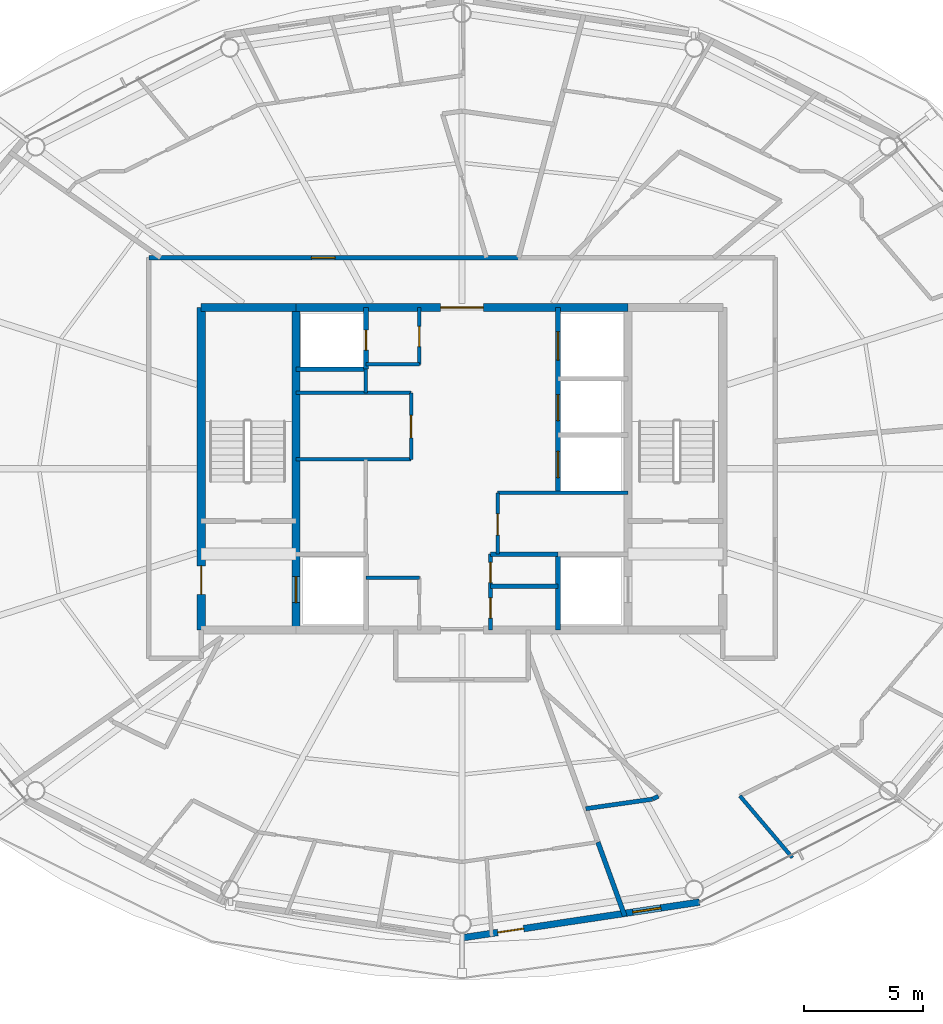
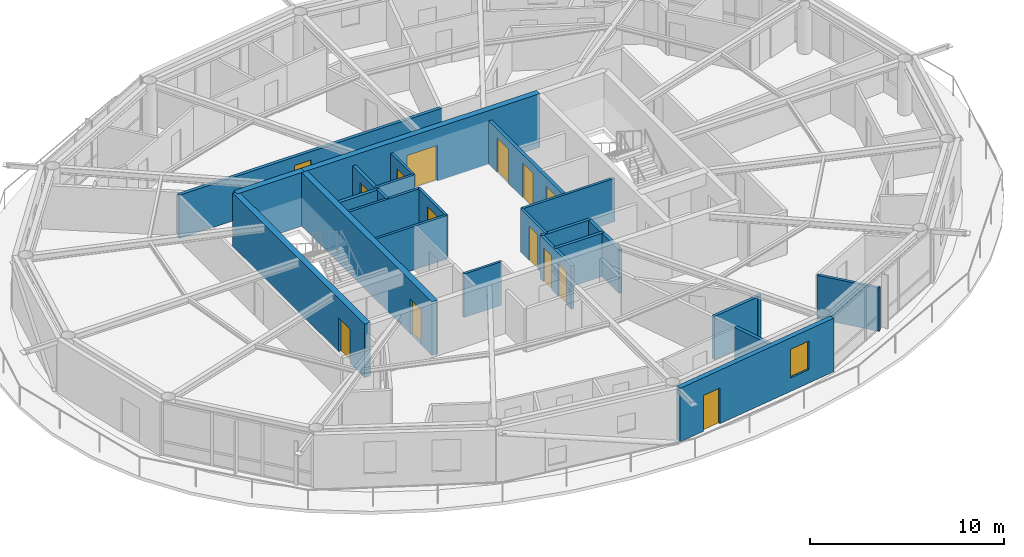
# One storey, part 17 of 23: 26 walls, 14 doors, 1 window, 15 openings.
"""IFC4 building model written with IfcOpenShell, lengths in metres."""

from ifc_helpers import new_model, si_unit, direction, frame, frame_2d, origin, place, context, subcontext, project, spatial, rectangle, extrude, material, layer, layer_set, type_object, element, fill, save


model = new_model("IFC4")

# Units and contexts
model_context = context("Model", 3, precision=1e-05, world=origin(), true_north=direction((0.0, 1.0)))
body_context = subcontext(model_context, "Body", "Model", "MODEL_VIEW")
ifc_project = project(units=[si_unit("LENGTHUNIT", "METRE"), si_unit("AREAUNIT", "SQUARE_METRE"), si_unit("VOLUMEUNIT", "CUBIC_METRE"), si_unit("PLANEANGLEUNIT", "RADIAN"), si_unit("MASSUNIT", "GRAM", prefix="KILO")], contexts=[model_context])

# Site, building, storey
site_placement = place(None, origin())
site = spatial("IfcSite", under=ifc_project, at=site_placement, CompositionType="ELEMENT")
building_placement = place(site_placement, origin())
building = spatial("IfcBuilding", under=site, at=building_placement, Name="Sarneth Arch Tower", CompositionType="ELEMENT")
storey_placement = place(building_placement, frame((0.0, 0.0, 276.60009765625)))
storey = spatial("IfcBuildingStorey", under=building, at=storey_placement, Name="L71", CompositionType="ELEMENT", Elevation=276.60009765625)

# Wall
ifc_material_1 = material(Name="Concrete C50/60", Category="concrete")
ifc_layer_1 = layer(ifc_material_1, 0.35009765625)
ifc_layer_set_1 = layer_set([ifc_layer_1], Name="Concrete C50/60")
wall_type_1 = type_object("IfcWallType", Name="WALL-CORE-350", PredefinedType="SHEAR", material=ifc_layer_set_1)
wall_1_placement = place(storey_placement, frame((37.0, 48.800048828125, 0.0), z_axis=(0.0, 0.0, 1.0), x_axis=(1.0, 0.0, 0.0)))
element("IfcWall", 1, at=wall_1_placement, inside=storey, type_object=wall_type_1, Name="L71 Core shear wall N-W", PredefinedType="SHEAR", context=body_context, shape_type="SweptSolid", body=[
    extrude(rectangle(XDim=4.0, YDim=0.35009765625, at=frame_2d((2.0, 0.0))), origin(), (0.0, 0.0, 1.0), 3.369873046875),
])

# Wall, opening, door
wall_2_placement = place(storey_placement, frame((41.0, 48.800048828125, 0.0), z_axis=(0.0, 0.0, 1.0), x_axis=(1.0, 0.0, 0.0)))
wall_2 = element("IfcWall", 2, at=wall_2_placement, inside=storey, type_object=wall_type_1, Name="L71 Core shear wall N-M", PredefinedType="SHEAR", context=body_context, shape_type="SweptSolid", body=[
    extrude(rectangle(XDim=14.0, YDim=0.35009765625, at=frame_2d((7.0, 0.0))), origin(), (0.0, 0.0, 1.0), 3.369873046875),
])
opening_1_placement = place(wall_2_placement, frame((6.10009765625, 0.0, 0.0)))
opening_1 = element("IfcOpeningElement", 3, at=opening_1_placement, cuts=wall_2, Name="Opening FD-01", PredefinedType="OPENING", context=body_context, shape_type="SweptSolid", body=[
    extrude(rectangle(XDim=1.800048828125, YDim=2.25, at=frame_2d((0.89990234375, 1.125))), frame((0.0, 0.18505859375, 0.0), z_axis=(0.0, -1.0, 0.0), x_axis=(1.0, 0.0, 0.0)), (0.0, 0.0, 1.0), 0.3701171875),
])
ifc_material_2 = material(Name="Galvanised Steel S275 fire door set", Category="steel")
door_type_1 = type_object("IfcDoorType", Name="DR-FD90-1800", OperationType="DOUBLE_DOOR_SINGLE_SWING", PredefinedType="DOOR", material=ifc_material_2)
door_1_placement = place(opening_1_placement, origin())
door_1 = element("IfcDoor", 4, at=door_1_placement, inside=storey, type_object=door_type_1, Name="L71 Central lift lobby north door", OperationType="DOUBLE_DOOR_SINGLE_SWING", OverallHeight=2.25, OverallWidth=1.800048828125, PredefinedType="DOOR", context=body_context, shape_type="SweptSolid", body=[
    extrude(rectangle(XDim=1.800048828125, YDim=2.25, at=frame_2d((0.89990234375, 1.125))), frame((0.0, 0.02490234375, 0.0), z_axis=(0.0, -1.0, 0.0), x_axis=(1.0, 0.0, 0.0)), (0.0, 0.0, 1.0), 0.050048828125),
])
fill(opening_1, door_1)

wall_3_placement = place(storey_placement, frame((37.0, 35.199951171875, 0.0), z_axis=(0.0, 0.0, 1.0), x_axis=(0.0, 1.0, 0.0)))
wall_3 = element("IfcWall", 5, at=wall_3_placement, inside=storey, type_object=wall_type_1, Name="L71 Core shear wall W", PredefinedType="SHEAR", context=body_context, shape_type="SweptSolid", body=[
    extrude(rectangle(XDim=13.60009765625, YDim=0.35009765625, at=frame_2d((6.800048828125, 0.0))), origin(), (0.0, 0.0, 1.0), 3.369873046875),
])
opening_2_placement = place(wall_3_placement, frame((1.5, 0.0, 0.0)))
opening_2 = element("IfcOpeningElement", 6, at=opening_2_placement, cuts=wall_3, Name="Opening FD-02", PredefinedType="OPENING", context=body_context, shape_type="SweptSolid", body=[
    extrude(rectangle(XDim=1.199951171875, YDim=2.14990234375, at=frame_2d((0.60009765625, 1.074951171875))), frame((0.0, 0.18505859375, 0.0), z_axis=(0.0, -1.0, 0.0), x_axis=(1.0, 0.0, 0.0)), (0.0, 0.0, 1.0), 0.3701171875),
])
ifc_material_3 = material(Name="Galvanised Steel S275 fire door set", Category="steel")
door_type_2 = type_object("IfcDoorType", Name="DR-FD90-1200", OperationType="SINGLE_SWING_LEFT", PredefinedType="DOOR", material=ifc_material_3)
door_2_placement = place(opening_2_placement, origin())
door_2 = element("IfcDoor", 7, at=door_2_placement, inside=storey, type_object=door_type_2, Name="L71 Firefighting lobby 1 exit door", OperationType="SINGLE_SWING_LEFT", OverallHeight=2.14990234375, OverallWidth=1.199951171875, PredefinedType="DOOR", context=body_context, shape_type="SweptSolid", body=[
    extrude(rectangle(XDim=1.199951171875, YDim=2.14990234375, at=frame_2d((0.60009765625, 1.074951171875))), frame((0.0, 0.02490234375, 0.0), z_axis=(0.0, -1.0, 0.0), x_axis=(1.0, 0.0, 0.0)), (0.0, 0.0, 1.0), 0.050048828125),
])
fill(opening_2, door_2)

wall_4_placement = place(storey_placement, frame((41.0, 35.199951171875, 0.0), z_axis=(0.0, 0.0, 1.0), x_axis=(0.0, 1.0, 0.0)))
wall_4 = element("IfcWall", 8, at=wall_4_placement, inside=storey, type_object=wall_type_1, Name="L71 Core shear wall WEB-W", PredefinedType="SHEAR", context=body_context, shape_type="SweptSolid", body=[
    extrude(rectangle(XDim=13.60009765625, YDim=0.35009765625, at=frame_2d((6.800048828125, 0.0))), origin(), (0.0, 0.0, 1.0), 3.369873046875),
])
opening_3_placement = place(wall_4_placement, frame((1.14990234375, 0.0, 0.0)))
opening_3 = element("IfcOpeningElement", 9, at=opening_3_placement, cuts=wall_4, Name="Opening LD-1", PredefinedType="OPENING", context=body_context, shape_type="SweptSolid", body=[
    extrude(rectangle(XDim=1.10009765625, YDim=2.199951171875, at=frame_2d((0.550048828125, 1.10009765625))), frame((0.0, 0.18505859375, 0.0), z_axis=(0.0, -1.0, 0.0), x_axis=(1.0, 0.0, 0.0)), (0.0, 0.0, 1.0), 0.3701171875),
])
ifc_material_4 = material(Name="Brushed Stainless Steel 304 lift landing door", Category="steel")
door_type_3 = type_object("IfcDoorType", Name="DR-LIFT-SLIDE-1100", OperationType="SLIDING_TO_LEFT", PredefinedType="DOOR", material=ifc_material_4)
door_3_placement = place(opening_3_placement, origin())
door_3 = element("IfcDoor", 10, at=door_3_placement, inside=storey, type_object=door_type_3, Name="L71 Firefighting lift landing door FL-1", OperationType="SLIDING_TO_LEFT", OverallHeight=2.199951171875, OverallWidth=1.10009765625, PredefinedType="DOOR", context=body_context, shape_type="SweptSolid", body=[
    extrude(rectangle(XDim=1.10009765625, YDim=2.199951171875, at=frame_2d((0.550048828125, 1.10009765625))), frame((0.0, 0.02490234375, 0.0), z_axis=(0.0, -1.0, 0.0), x_axis=(1.0, 0.0, 0.0)), (0.0, 0.0, 1.0), 0.050048828125),
])
fill(opening_3, door_3)

ifc_material_5 = material(Name="Double steel-stud corridor fire wall", Category="steel")
ifc_layer_2 = layer(ifc_material_5, 0.18994140625)
ifc_layer_set_2 = layer_set([ifc_layer_2], Name="Double steel-stud corridor fire wall")
wall_type_2 = type_object("IfcWallType", Name="WALL-CORR-190", PredefinedType="PARTITIONING", material=ifc_layer_set_2)
wall_5_placement = place(storey_placement, frame((34.800048828125, 50.89990234375, 0.0), z_axis=(0.0, 0.0, 1.0), x_axis=(1.0, 0.0, 0.0)))
wall_5 = element("IfcWall", 11, at=wall_5_placement, inside=storey, type_object=wall_type_2, Name="L71 Interior partition W-L71-TP-005", PredefinedType="PARTITIONING", context=body_context, shape_type="SweptSolid", body=[
    extrude(rectangle(XDim=15.61767578125, YDim=0.18994140625, at=frame_2d((7.808837890625, 0.0))), origin(), (0.0, 0.0, 1.0), 2.72998046875),
])
opening_4_placement = place(wall_5_placement, frame((6.848388671875, 0.0, 0.0)))
opening_4 = element("IfcOpeningElement", 12, at=opening_4_placement, cuts=wall_5, Name="Opening FD-08", PredefinedType="OPENING", context=body_context, shape_type="SweptSolid", body=[
    extrude(rectangle(XDim=1.0, YDim=2.199951171875, at=frame_2d((0.5, 1.10009765625))), frame((0.0, 0.10498046875, 0.0), z_axis=(0.0, -1.0, 0.0), x_axis=(1.0, 0.0, 0.0)), (0.0, 0.0, 1.0), 0.2099609375),
])
ifc_material_6 = material(Name="Hardwood timber acoustic fire door", Category="wood")
door_type_4 = type_object("IfcDoorType", Name="DR-FD60-1000", OperationType="SINGLE_SWING_LEFT", PredefinedType="DOOR", material=ifc_material_6)
door_4_placement = place(opening_4_placement, origin())
door_4 = element("IfcDoor", 13, at=door_4_placement, inside=storey, type_object=door_type_4, Name="L71 Interior door DR-L71-U2-ENT", OperationType="SINGLE_SWING_LEFT", OverallHeight=2.199951171875, OverallWidth=1.0, PredefinedType="DOOR", context=body_context, shape_type="SweptSolid", body=[
    extrude(rectangle(XDim=1.0, YDim=2.199951171875, at=frame_2d((0.5, 1.10009765625))), frame((0.0, 0.02490234375, 0.0), z_axis=(0.0, -1.0, 0.0), x_axis=(1.0, 0.0, 0.0)), (0.0, 0.0, 1.0), 0.050048828125),
])
fill(opening_4, door_4)

# Wall, openings, door, window
ifc_material_7 = material(Name="Extruded terracotta rainscreen on Concrete C40/50 backing", Category="masonry")
ifc_layer_3 = layer(ifc_material_7, 0.280029296875)
ifc_layer_set_3 = layer_set([ifc_layer_3], Name="Extruded terracotta rainscreen on Concrete C40/50 backing")
wall_type_3 = type_object("IfcWallType", Name="WALL-EXT-TERRA-280", PredefinedType="SOLIDWALL", material=ifc_layer_set_3)
wall_6_placement = place(storey_placement, frame((48.0, 22.219970703125, 0.0), z_axis=(0.0, 0.0, 1.0), x_axis=(0.988882522213, 0.148698881169, 0.0)))
wall_6 = element("IfcWall", 14, at=wall_6_placement, inside=storey, type_object=wall_type_3, Name="L71 Terracotta perimeter wall 13", PredefinedType="SOLIDWALL", context=body_context, shape_type="SweptSolid", body=[
    extrude(rectangle(XDim=10.125244140625, YDim=0.280029296875, at=frame_2d((5.0625, 0.0))), origin(), (0.0, 0.0, 1.0), 3.369873046875),
])
opening_5_placement = place(wall_6_placement, frame((1.5244140625, 0.0, 0.0)))
opening_5 = element("IfcOpeningElement", 15, at=opening_5_placement, cuts=wall_6, Name="Opening BD-3", PredefinedType="OPENING", context=body_context, shape_type="SweptSolid", body=[
    extrude(rectangle(XDim=1.10009765625, YDim=2.25, at=frame_2d((0.550048828125, 1.125))), frame((0.0, 0.14990234375, 0.0), z_axis=(0.0, -1.0, 0.0), x_axis=(1.0, 0.0, 0.0)), (0.0, 0.0, 1.0), 0.300048828125),
])
opening_6_placement = place(wall_6_placement, frame((7.281005859375, 0.0, 0.85009765625)))
opening_6 = element("IfcOpeningElement", 16, at=opening_6_placement, cuts=wall_6, Name="Opening W-09", PredefinedType="OPENING", context=body_context, shape_type="SweptSolid", body=[
    extrude(rectangle(XDim=1.199951171875, YDim=1.800048828125, at=frame_2d((0.60009765625, 0.89990234375))), frame((0.0, 0.14990234375, 0.0), z_axis=(0.0, -1.0, 0.0), x_axis=(1.0, 0.0, 0.0)), (0.0, 0.0, 1.0), 0.300048828125),
])
ifc_material_8 = material(Name="Thermally broken Aluminium 6063-T6 and laminated safety glass", Category="aluminium")
door_type_5 = type_object("IfcDoorType", Name="DR-BALC-GLZ-1100", OperationType="SINGLE_SWING_LEFT", PredefinedType="DOOR", material=ifc_material_8)
door_5_placement = place(opening_5_placement, origin())
door_5 = element("IfcDoor", 17, at=door_5_placement, inside=storey, type_object=door_type_5, Name="L71 Balcony glazed door 13", OperationType="SINGLE_SWING_LEFT", OverallHeight=2.25, OverallWidth=1.10009765625, PredefinedType="DOOR", context=body_context, shape_type="SweptSolid", body=[
    extrude(rectangle(XDim=1.10009765625, YDim=2.25, at=frame_2d((0.550048828125, 1.125))), frame((0.0, 0.02490234375, 0.0), z_axis=(0.0, -1.0, 0.0), x_axis=(1.0, 0.0, 0.0)), (0.0, 0.0, 1.0), 0.050048828125),
])
fill(opening_5, door_5)
ifc_material_9 = material(Name="Thermally broken Aluminium 6063-T6 and low-e laminated IGU", Category="aluminium")
window_type = type_object("IfcWindowType", Name="WIN-TWR-1200x1800", PartitioningType="SINGLE_PANEL", PredefinedType="WINDOW", material=ifc_material_9)
window_placement = place(opening_6_placement, origin())
window = element("IfcWindow", 18, at=window_placement, inside=storey, type_object=window_type, Name="L71 Exterior window 13A", OverallHeight=1.800048828125, OverallWidth=1.199951171875, PartitioningType="SINGLE_PANEL", PredefinedType="WINDOW", context=body_context, shape_type="SweptSolid", body=[
    extrude(rectangle(XDim=1.199951171875, YDim=1.800048828125, at=frame_2d((0.60009765625, 0.89990234375))), frame((0.0, 0.030029296875, 0.0), z_axis=(0.0, -1.0, 0.0), x_axis=(1.0, 0.0, 0.0)), (0.0, 0.0, 1.0), 0.06005859375),
])
fill(opening_6, window)

# Walls
ifc_material_10 = material(Name="Acoustic gypsum stud partition", Category="gypsum")
ifc_layer_4 = layer(ifc_material_10, 0.14990234375)
ifc_layer_set_4 = layer_set([ifc_layer_4], Name="Acoustic gypsum stud partition")
wall_type_4 = type_object("IfcWallType", Name="WALL-PART-150", PredefinedType="PARTITIONING", material=ifc_layer_set_4)
for number, where, z_axis, x_axis, name in (
    (19, (41.0, 42.39990234375, 0.0), (0.0, 0.0, 1.0), (1.0, 0.0, 0.0), "L71 Interior partition W-L71-RECPM1-S"),
    (20, (41.0, 45.199951171875, 0.0), (0.0, 0.0, 1.0), (1.0, 0.0, 0.0), "L71 Interior partition W-L71-RECPM1-N"),
):
    element("IfcWall", number, at=place(storey_placement, frame(where, z_axis=z_axis, x_axis=x_axis)), inside=storey, type_object=wall_type_4, Name=name, PredefinedType="PARTITIONING", context=body_context, shape_type="SweptSolid", body=[
        extrude(rectangle(XDim=4.85009765625, YDim=0.14990234375, at=frame_2d((2.425048828125, 0.0))), origin(), (0.0, 0.0, 1.0), 2.72998046875),
    ])
wall_7_placement = place(storey_placement, frame((43.949951171875, 45.199951171875, 0.0), z_axis=(0.0, 0.0, 1.0), x_axis=(0.0, 1.0, 0.0)))
element("IfcWall", 21, at=wall_7_placement, inside=storey, type_object=wall_type_4, Name="L71 Interior partition W-L71-RECPM1-W2", PredefinedType="PARTITIONING", context=body_context, shape_type="SweptSolid", body=[
    extrude(rectangle(XDim=1.0, YDim=0.14990234375, at=frame_2d((0.5, 0.0))), origin(), (0.0, 0.0, 1.0), 2.72998046875),
])

# Wall, opening, door
wall_8_placement = place(storey_placement, frame((45.85009765625, 42.39990234375, 0.0), z_axis=(0.0, 0.0, 1.0), x_axis=(0.0, 1.0, 0.0)))
wall_8 = element("IfcWall", 22, at=wall_8_placement, inside=storey, type_object=wall_type_4, Name="L71 Interior partition W-L71-RECPM1-E", PredefinedType="PARTITIONING", context=body_context, shape_type="SweptSolid", body=[
    extrude(rectangle(XDim=2.800048828125, YDim=0.14990234375, at=frame_2d((1.39990234375, 0.0))), origin(), (0.0, 0.0, 1.0), 2.72998046875),
])
opening_7_placement = place(wall_8_placement, frame((0.89990234375, 0.0, 0.0)))
opening_7 = element("IfcOpeningElement", 23, at=opening_7_placement, cuts=wall_8, Name="Opening FD-09", PredefinedType="OPENING", context=body_context, shape_type="SweptSolid", body=[
    extrude(rectangle(XDim=0.949951171875, YDim=2.14990234375, at=frame_2d((0.47509765625, 1.074951171875))), frame((0.0, 0.0849609375, 0.0), z_axis=(0.0, -1.0, 0.0), x_axis=(1.0, 0.0, 0.0)), (0.0, 0.0, 1.0), 0.169921875),
])
ifc_material_11 = material(Name="Hardwood timber hotel entrance fire door", Category="wood")
door_type_6 = type_object("IfcDoorType", Name="DR-FD60-950", OperationType="SINGLE_SWING_RIGHT", PredefinedType="DOOR", material=ifc_material_11)
door_6_placement = place(opening_7_placement, origin())
door_6 = element("IfcDoor", 24, at=door_6_placement, inside=storey, type_object=door_type_6, Name="L71 Interior door DR-L71-RECPM1", OperationType="SINGLE_SWING_RIGHT", OverallHeight=2.14990234375, OverallWidth=0.949951171875, PredefinedType="DOOR", context=body_context, shape_type="SweptSolid", body=[
    extrude(rectangle(XDim=0.949951171875, YDim=2.14990234375, at=frame_2d((0.47509765625, 1.074951171875))), frame((0.0, 0.02490234375, 0.0), z_axis=(0.0, -1.0, 0.0), x_axis=(1.0, 0.0, 0.0)), (0.0, 0.0, 1.0), 0.050048828125),
])
fill(opening_7, door_6)

# Wall
wall_9_placement = place(storey_placement, frame((49.5, 40.97998046875, 0.0), z_axis=(0.0, 0.0, 1.0), x_axis=(1.0, 0.0, 0.0)))
element("IfcWall", 25, at=wall_9_placement, inside=storey, type_object=wall_type_4, Name="L71 Interior partition W-L71-RECPM2-N", PredefinedType="PARTITIONING", context=body_context, shape_type="SweptSolid", body=[
    extrude(rectangle(XDim=5.5, YDim=0.14990234375, at=frame_2d((2.75, 0.0))), origin(), (0.0, 0.0, 1.0), 2.72998046875),
])

# Wall, opening, door
wall_10_placement = place(storey_placement, frame((49.5, 38.39990234375, 0.0), z_axis=(0.0, 0.0, 1.0), x_axis=(0.0, 1.0, 0.0)))
wall_10 = element("IfcWall", 26, at=wall_10_placement, inside=storey, type_object=wall_type_4, Name="L71 Interior partition W-L71-RECPM2-W", PredefinedType="PARTITIONING", context=body_context, shape_type="SweptSolid", body=[
    extrude(rectangle(XDim=2.580078125, YDim=0.14990234375, at=frame_2d((1.2900390625, 0.0))), origin(), (0.0, 0.0, 1.0), 2.72998046875),
])
opening_8_placement = place(wall_10_placement, frame((0.800048828125, 0.0, 0.0)))
opening_8 = element("IfcOpeningElement", 27, at=opening_8_placement, cuts=wall_10, Name="Opening FD-10", PredefinedType="OPENING", context=body_context, shape_type="SweptSolid", body=[
    extrude(rectangle(XDim=0.89990234375, YDim=2.14990234375, at=frame_2d((0.449951171875, 1.074951171875))), frame((0.0, 0.0849609375, 0.0), z_axis=(0.0, -1.0, 0.0), x_axis=(1.0, 0.0, 0.0)), (0.0, 0.0, 1.0), 0.169921875),
])
ifc_material_12 = material(Name="Galvanised Steel S275 riser/service fire door", Category="steel")
door_type_7 = type_object("IfcDoorType", Name="DR-FD60-900", OperationType="SINGLE_SWING_LEFT", PredefinedType="DOOR", material=ifc_material_12)
door_7_placement = place(opening_8_placement, origin())
door_7 = element("IfcDoor", 28, at=door_7_placement, inside=storey, type_object=door_type_7, Name="L71 Interior door DR-L71-RECPM2", OperationType="SINGLE_SWING_LEFT", OverallHeight=2.14990234375, OverallWidth=0.89990234375, PredefinedType="DOOR", context=body_context, shape_type="SweptSolid", body=[
    extrude(rectangle(XDim=0.89990234375, YDim=2.14990234375, at=frame_2d((0.449951171875, 1.074951171875))), frame((0.0, 0.02490234375, 0.0), z_axis=(0.0, -1.0, 0.0), x_axis=(1.0, 0.0, 0.0)), (0.0, 0.0, 1.0), 0.050048828125),
])
fill(opening_8, door_7)

# Walls
for number, where, z_axis, x_axis, name in (
    (29, (43.949951171875, 37.39990234375, 0.0), (0.0, 0.0, 1.0), (1.0, 0.0, 0.0), "L71 Interior partition W-L71-CSUP1-N"),
    (30, (43.949951171875, 46.39990234375, 0.0), (0.0, 0.0, 1.0), (1.0, 0.0, 0.0), "L71 Interior partition W-L71-CSUP2-S"),
):
    element("IfcWall", number, at=place(storey_placement, frame(where, z_axis=z_axis, x_axis=x_axis)), inside=storey, type_object=wall_type_4, Name=name, PredefinedType="PARTITIONING", context=body_context, shape_type="SweptSolid", body=[
        extrude(rectangle(XDim=2.25, YDim=0.14990234375, at=frame_2d((1.125, 0.0))), origin(), (0.0, 0.0, 1.0), 2.72998046875),
    ])

# Wall, opening, door
wall_11_placement = place(storey_placement, frame((46.199951171875, 46.39990234375, 0.0), z_axis=(0.0, 0.0, 1.0), x_axis=(0.0, 1.0, 0.0)))
wall_11 = element("IfcWall", 31, at=wall_11_placement, inside=storey, type_object=wall_type_4, Name="L71 Interior partition W-L71-CSUP2-E", PredefinedType="PARTITIONING", context=body_context, shape_type="SweptSolid", body=[
    extrude(rectangle(XDim=2.400146484375, YDim=0.14990234375, at=frame_2d((1.2001953125, 0.0))), origin(), (0.0, 0.0, 1.0), 2.72998046875),
])
opening_9_placement = place(wall_11_placement, frame((0.75, 0.0, 0.0)))
opening_9 = element("IfcOpeningElement", 32, at=opening_9_placement, cuts=wall_11, Name="Opening FD-11", PredefinedType="OPENING", context=body_context, shape_type="SweptSolid", body=[
    extrude(rectangle(XDim=0.85009765625, YDim=2.14990234375, at=frame_2d((0.425048828125, 1.074951171875))), frame((0.0, 0.0849609375, 0.0), z_axis=(0.0, -1.0, 0.0), x_axis=(1.0, 0.0, 0.0)), (0.0, 0.0, 1.0), 0.169921875),
])
ifc_material_13 = material(Name="Galvanised Steel S275 closet fire door", Category="steel")
door_type_8 = type_object("IfcDoorType", Name="DR-FD60-850", OperationType="SINGLE_SWING_LEFT", PredefinedType="DOOR", material=ifc_material_13)
door_8_placement = place(opening_9_placement, origin())
door_8 = element("IfcDoor", 33, at=door_8_placement, inside=storey, type_object=door_type_8, Name="L71 Interior door DR-L71-CSUP2", OperationType="SINGLE_SWING_RIGHT", OverallHeight=2.14990234375, OverallWidth=0.85009765625, PredefinedType="DOOR", context=body_context, shape_type="SweptSolid", body=[
    extrude(rectangle(XDim=0.85009765625, YDim=2.14990234375, at=frame_2d((0.425048828125, 1.074951171875))), frame((0.0, 0.02490234375, 0.0), z_axis=(0.0, -1.0, 0.0), x_axis=(1.0, 0.0, 0.0)), (0.0, 0.0, 1.0), 0.050048828125),
])
fill(opening_9, door_8)

# Walls
ifc_material_14 = material(Name="Kitchen wet service chase wall", Category="gypsum")
ifc_layer_5 = layer(ifc_material_14, 0.159912109375)
ifc_layer_set_5 = layer_set([ifc_layer_5], Name="Kitchen wet service chase wall")
wall_type_5 = type_object("IfcWallType", Name="WALL-PLUMB-160", PredefinedType="PLUMBINGWALL", material=ifc_layer_set_5)
wall_12_placement = place(storey_placement, frame((61.92919921875, 25.600830078125, 0.0), z_axis=(0.0, 0.0, 1.0), x_axis=(-0.64737032118, 0.762175614446, 0.0)))
element("IfcWall", 34, at=wall_12_placement, inside=storey, type_object=wall_type_5, Name="L71 Interior partition W-L71-TP-081", PredefinedType="PLUMBINGWALL", context=body_context, shape_type="SweptSolid", body=[
    extrude(rectangle(XDim=3.415283203125, YDim=0.159912109375, at=frame_2d((1.70751953125, 0.0))), origin(), (0.0, 0.0, 1.0), 2.72998046875),
])
ifc_material_15 = material(Name="Moisture-resistant plumbing chase wall", Category="gypsum")
ifc_layer_6 = layer(ifc_material_15, 0.179931640625)
ifc_layer_set_6 = layer_set([ifc_layer_6], Name="Moisture-resistant plumbing chase wall")
wall_type_6 = type_object("IfcWallType", Name="WALL-PLUMB-180", PredefinedType="PLUMBINGWALL", material=ifc_layer_set_6)
for number, where, z_axis, x_axis, name in (
    (35, (49.199951171875, 37.050048828125, 0.0), (0.0, 0.0, 1.0), (1.0, 0.0, 0.0), "L71 Interior partition W-L71-AWC-M"),
    (36, (49.199951171875, 38.39990234375, 0.0), (0.0, 0.0, 1.0), (1.0, 0.0, 0.0), "L71 Interior partition W-L71-AWC-N"),
):
    element("IfcWall", number, at=place(storey_placement, frame(where, z_axis=z_axis, x_axis=x_axis)), inside=storey, type_object=wall_type_6, Name=name, PredefinedType="PLUMBINGWALL", context=body_context, shape_type="SweptSolid", body=[
        extrude(rectangle(XDim=2.85009765625, YDim=0.179931640625, at=frame_2d((1.425048828125, 0.0))), origin(), (0.0, 0.0, 1.0), 2.72998046875),
    ])

# Wall, openings, doors
wall_13_placement = place(storey_placement, frame((49.199951171875, 35.199951171875, 0.0), z_axis=(0.0, 0.0, 1.0), x_axis=(0.0, 1.0, 0.0)))
wall_13 = element("IfcWall", 37, at=wall_13_placement, inside=storey, type_object=wall_type_6, Name="L71 Interior partition W-L71-AWC-W", PredefinedType="PLUMBINGWALL", context=body_context, shape_type="SweptSolid", body=[
    extrude(rectangle(XDim=3.199951171875, YDim=0.179931640625, at=frame_2d((1.60009765625, 0.0))), origin(), (0.0, 0.0, 1.0), 2.72998046875),
])
opening_10_placement = place(wall_13_placement, frame((0.5, 0.0, 0.0)))
opening_10 = element("IfcOpeningElement", 38, at=opening_10_placement, cuts=wall_13, Name="Opening ID-02", PredefinedType="OPENING", context=body_context, shape_type="SweptSolid", body=[
    extrude(rectangle(XDim=0.85009765625, YDim=2.10009765625, at=frame_2d((0.425048828125, 1.050048828125))), frame((0.0, 0.099853515625, 0.0), z_axis=(0.0, -1.0, 0.0), x_axis=(1.0, 0.0, 0.0)), (0.0, 0.0, 1.0), 0.199951171875),
])
opening_11_placement = place(wall_13_placement, frame((2.0, 0.0, 0.0)))
opening_11 = element("IfcOpeningElement", 39, at=opening_11_placement, cuts=wall_13, Name="Opening FD-11", PredefinedType="OPENING", context=body_context, shape_type="SweptSolid", body=[
    extrude(rectangle(XDim=0.85009765625, YDim=2.14990234375, at=frame_2d((0.425048828125, 1.074951171875))), frame((0.0, 0.099853515625, 0.0), z_axis=(0.0, -1.0, 0.0), x_axis=(1.0, 0.0, 0.0)), (0.0, 0.0, 1.0), 0.199951171875),
])
door_9_placement = place(opening_11_placement, origin())
door_9 = element("IfcDoor", 40, at=door_9_placement, inside=storey, type_object=door_type_8, Name="L71 Interior door DR-L71-CSUP3", OperationType="SINGLE_SWING_LEFT", OverallHeight=2.14990234375, OverallWidth=0.85009765625, PredefinedType="DOOR", context=body_context, shape_type="SweptSolid", body=[
    extrude(rectangle(XDim=0.85009765625, YDim=2.14990234375, at=frame_2d((0.425048828125, 1.074951171875))), frame((0.0, 0.02490234375, 0.0), z_axis=(0.0, -1.0, 0.0), x_axis=(1.0, 0.0, 0.0)), (0.0, 0.0, 1.0), 0.050048828125),
])
fill(opening_11, door_9)
ifc_material_16 = material(Name="Moisture-resistant bathroom timber door", Category="wood")
door_type_9 = type_object("IfcDoorType", Name="DR-INT-850", OperationType="SINGLE_SWING_RIGHT", PredefinedType="DOOR", material=ifc_material_16)
door_10_placement = place(opening_10_placement, origin())
door_10 = element("IfcDoor", 41, at=door_10_placement, inside=storey, type_object=door_type_9, Name="L71 Interior door DR-L71-AWC", OperationType="SINGLE_SWING_RIGHT", OverallHeight=2.10009765625, OverallWidth=0.85009765625, PredefinedType="DOOR", context=body_context, shape_type="SweptSolid", body=[
    extrude(rectangle(XDim=0.85009765625, YDim=2.10009765625, at=frame_2d((0.425048828125, 1.050048828125))), frame((0.0, 0.02490234375, 0.0), z_axis=(0.0, -1.0, 0.0), x_axis=(1.0, 0.0, 0.0)), (0.0, 0.0, 1.0), 0.050048828125),
])
fill(opening_10, door_10)

# Walls
wall_14_placement = place(storey_placement, frame((53.217041015625, 27.666259765625, 0.0), z_axis=(0.0, 0.0, 1.0), x_axis=(0.989918473044, 0.141638330709, 0.0)))
element("IfcWall", 42, at=wall_14_placement, inside=storey, type_object=wall_type_6, Name="L71 Interior partition W-L71-TP-083", PredefinedType="PLUMBINGWALL", context=body_context, shape_type="SweptSolid", body=[
    extrude(rectangle(XDim=2.83544921875, YDim=0.179931640625, at=frame_2d((1.417724609375, 0.0))), origin(), (0.0, 0.0, 1.0), 2.72998046875),
])
wall_15_placement = place(storey_placement, frame((56.038330078125, 28.074951171875, 0.0), z_axis=(0.0, 0.0, 1.0), x_axis=(0.899071871525, 0.437801061937, 0.0)))
element("IfcWall", 43, at=wall_15_placement, inside=storey, type_object=wall_type_6, Name="L71 Interior partition W-L71-TP-084", PredefinedType="PLUMBINGWALL", context=body_context, shape_type="SweptSolid", body=[
    extrude(rectangle(XDim=0.2705078125, YDim=0.179931640625, at=frame_2d((0.13525390625, 0.0))), origin(), (0.0, 0.0, 1.0), 2.72998046875),
])
ifc_material_17 = material(Name="Aerated concrete blockwork C25/30", Category="masonry")
ifc_layer_7 = layer(ifc_material_17, 0.199951171875)
ifc_layer_set_7 = layer_set([ifc_layer_7], Name="Aerated concrete blockwork C25/30")
wall_type_7 = type_object("IfcWallType", Name="WALL-SHAFT-200", PredefinedType="SOLIDWALL", material=ifc_layer_set_7)
wall_16_placement = place(storey_placement, frame((52.050048828125, 35.199951171875, 0.0), z_axis=(0.0, 0.0, 1.0), x_axis=(0.0, 1.0, 0.0)))
element("IfcWall", 44, at=wall_16_placement, inside=storey, type_object=wall_type_7, Name="L71 Interior partition W-L71-FL2-W", PredefinedType="SOLIDWALL", context=body_context, shape_type="SweptSolid", body=[
    extrude(rectangle(XDim=3.199951171875, YDim=0.199951171875, at=frame_2d((1.60009765625, 0.0))), origin(), (0.0, 0.0, 1.0), 2.72998046875),
])
wall_17_placement = place(storey_placement, frame((41.0, 46.199951171875, 0.0), z_axis=(0.0, 0.0, 1.0), x_axis=(1.0, 0.0, 0.0)))
element("IfcWall", 45, at=wall_17_placement, inside=storey, type_object=wall_type_7, Name="L71 Interior partition W-L71-RISER-S", PredefinedType="SOLIDWALL", context=body_context, shape_type="SweptSolid", body=[
    extrude(rectangle(XDim=2.949951171875, YDim=0.199951171875, at=frame_2d((1.47509765625, 0.0))), origin(), (0.0, 0.0, 1.0), 2.72998046875),
])

# Wall, opening, door
wall_18_placement = place(storey_placement, frame((43.949951171875, 46.199951171875, 0.0), z_axis=(0.0, 0.0, 1.0), x_axis=(0.0, 1.0, 0.0)))
wall_18 = element("IfcWall", 46, at=wall_18_placement, inside=storey, type_object=wall_type_7, Name="L71 Interior partition W-L71-RISER-E", PredefinedType="SOLIDWALL", context=body_context, shape_type="SweptSolid", body=[
    extrude(rectangle(XDim=2.60009765625, YDim=0.199951171875, at=frame_2d((1.300048828125, 0.0))), origin(), (0.0, 0.0, 1.0), 2.72998046875),
])
opening_12_placement = place(wall_18_placement, frame((0.800048828125, 0.0, 0.0)))
opening_12 = element("IfcOpeningElement", 47, at=opening_12_placement, cuts=wall_18, Name="Opening FD-11", PredefinedType="OPENING", context=body_context, shape_type="SweptSolid", body=[
    extrude(rectangle(XDim=0.85009765625, YDim=2.14990234375, at=frame_2d((0.425048828125, 1.074951171875))), frame((0.0, 0.10986328125, 0.0), z_axis=(0.0, -1.0, 0.0), x_axis=(1.0, 0.0, 0.0)), (0.0, 0.0, 1.0), 0.219970703125),
])
door_11_placement = place(opening_12_placement, origin())
door_11 = element("IfcDoor", 48, at=door_11_placement, inside=storey, type_object=door_type_8, Name="L71 Lift landing door DR-L71-RISER", OperationType="SINGLE_SWING_LEFT", OverallHeight=2.14990234375, OverallWidth=0.85009765625, PredefinedType="DOOR", context=body_context, shape_type="SweptSolid", body=[
    extrude(rectangle(XDim=0.85009765625, YDim=2.14990234375, at=frame_2d((0.425048828125, 1.074951171875))), frame((0.0, 0.02490234375, 0.0), z_axis=(0.0, -1.0, 0.0), x_axis=(1.0, 0.0, 0.0)), (0.0, 0.0, 1.0), 0.050048828125),
])
fill(opening_12, door_11)

# Wall, openings, doors
wall_19_placement = place(storey_placement, frame((52.050048828125, 40.97998046875, 0.0), z_axis=(0.0, 0.0, 1.0), x_axis=(0.0, 1.0, 0.0)))
wall_19 = element("IfcWall", 49, at=wall_19_placement, inside=storey, type_object=wall_type_7, Name="L71 Interior partition W-L71-EASTBANK-UPPER", PredefinedType="SOLIDWALL", context=body_context, shape_type="SweptSolid", body=[
    extrude(rectangle(XDim=7.820068359375, YDim=0.199951171875, at=frame_2d((3.91015625, 0.0))), origin(), (0.0, 0.0, 1.0), 2.72998046875),
])
opening_13_placement = place(wall_19_placement, frame((0.64990234375, 0.0, 0.0)))
opening_13 = element("IfcOpeningElement", 50, at=opening_13_placement, cuts=wall_19, Name="Opening LD-1", PredefinedType="OPENING", context=body_context, shape_type="SweptSolid", body=[
    extrude(rectangle(XDim=1.10009765625, YDim=2.199951171875, at=frame_2d((0.550048828125, 1.10009765625))), frame((0.0, 0.10986328125, 0.0), z_axis=(0.0, -1.0, 0.0), x_axis=(1.0, 0.0, 0.0)), (0.0, 0.0, 1.0), 0.219970703125),
])
opening_14_placement = place(wall_19_placement, frame((3.050048828125, 0.0, 0.0)))
opening_14 = element("IfcOpeningElement", 51, at=opening_14_placement, cuts=wall_19, Name="Opening LD-1", PredefinedType="OPENING", context=body_context, shape_type="SweptSolid", body=[
    extrude(rectangle(XDim=1.10009765625, YDim=2.199951171875, at=frame_2d((0.550048828125, 1.10009765625))), frame((0.0, 0.10986328125, 0.0), z_axis=(0.0, -1.0, 0.0), x_axis=(1.0, 0.0, 0.0)), (0.0, 0.0, 1.0), 0.219970703125),
])
opening_15_placement = place(wall_19_placement, frame((5.60009765625, 0.0, 0.0)))
opening_15 = element("IfcOpeningElement", 52, at=opening_15_placement, cuts=wall_19, Name="Opening LD-2", PredefinedType="OPENING", context=body_context, shape_type="SweptSolid", body=[
    extrude(rectangle(XDim=1.199951171875, YDim=2.199951171875, at=frame_2d((0.60009765625, 1.10009765625))), frame((0.0, 0.10986328125, 0.0), z_axis=(0.0, -1.0, 0.0), x_axis=(1.0, 0.0, 0.0)), (0.0, 0.0, 1.0), 0.219970703125),
])
door_12_placement = place(opening_13_placement, origin())
door_12 = element("IfcDoor", 53, at=door_12_placement, inside=storey, type_object=door_type_3, Name="L71 Lift landing door DR-L71-LD-PH1", OperationType="SLIDING_TO_RIGHT", OverallHeight=2.199951171875, OverallWidth=1.10009765625, PredefinedType="DOOR", context=body_context, shape_type="SweptSolid", body=[
    extrude(rectangle(XDim=1.10009765625, YDim=2.199951171875, at=frame_2d((0.550048828125, 1.10009765625))), frame((0.0, 0.02490234375, 0.0), z_axis=(0.0, -1.0, 0.0), x_axis=(1.0, 0.0, 0.0)), (0.0, 0.0, 1.0), 0.050048828125),
])
fill(opening_13, door_12)
door_13_placement = place(opening_14_placement, origin())
door_13 = element("IfcDoor", 54, at=door_13_placement, inside=storey, type_object=door_type_3, Name="L71 Lift landing door DR-L71-LD-PH2", OperationType="SLIDING_TO_LEFT", OverallHeight=2.199951171875, OverallWidth=1.10009765625, PredefinedType="DOOR", context=body_context, shape_type="SweptSolid", body=[
    extrude(rectangle(XDim=1.10009765625, YDim=2.199951171875, at=frame_2d((0.550048828125, 1.10009765625))), frame((0.0, 0.02490234375, 0.0), z_axis=(0.0, -1.0, 0.0), x_axis=(1.0, 0.0, 0.0)), (0.0, 0.0, 1.0), 0.050048828125),
])
fill(opening_14, door_13)
ifc_material_18 = material(Name="Brushed Stainless Steel 304 service lift door", Category="steel")
door_type_10 = type_object("IfcDoorType", Name="DR-LIFT-SLIDE-1200", OperationType="SLIDING_TO_RIGHT", PredefinedType="DOOR", material=ifc_material_18)
door_14_placement = place(opening_15_placement, origin())
door_14 = element("IfcDoor", 55, at=door_14_placement, inside=storey, type_object=door_type_10, Name="L71 Lift landing door DR-L71-LD-SL1", OperationType="SLIDING_TO_RIGHT", OverallHeight=2.199951171875, OverallWidth=1.199951171875, PredefinedType="DOOR", context=body_context, shape_type="SweptSolid", body=[
    extrude(rectangle(XDim=1.199951171875, YDim=2.199951171875, at=frame_2d((0.60009765625, 1.10009765625))), frame((0.0, 0.02490234375, 0.0), z_axis=(0.0, -1.0, 0.0), x_axis=(1.0, 0.0, 0.0)), (0.0, 0.0, 1.0), 0.050048828125),
])
fill(opening_15, door_14)

# Wall
ifc_material_19 = material(Name="Double steel-stud acoustic drywall", Category="steel")
ifc_layer_8 = layer(ifc_material_19, 0.199951171875)
ifc_layer_set_8 = layer_set([ifc_layer_8], Name="Double steel-stud acoustic drywall")
wall_type_8 = type_object("IfcWallType", Name="WALL-UNIT-200", PredefinedType="PARTITIONING", material=ifc_layer_set_8)
wall_20_placement = place(storey_placement, frame((53.73046875, 26.255615234375, 0.0), z_axis=(0.0, 0.0, 1.0), x_axis=(0.341990855898, -0.939703280021, 0.0)))
element("IfcWall", 56, at=wall_20_placement, inside=storey, type_object=wall_type_8, Name="L71 Interior partition W-L71-TP-080", PredefinedType="PARTITIONING", context=body_context, shape_type="SweptSolid", body=[
    extrude(rectangle(XDim=3.322509765625, YDim=0.199951171875, at=frame_2d((1.6611328125, 0.0))), origin(), (0.0, 0.0, 1.0), 2.72998046875),
])

save(model, "model.ifc")
